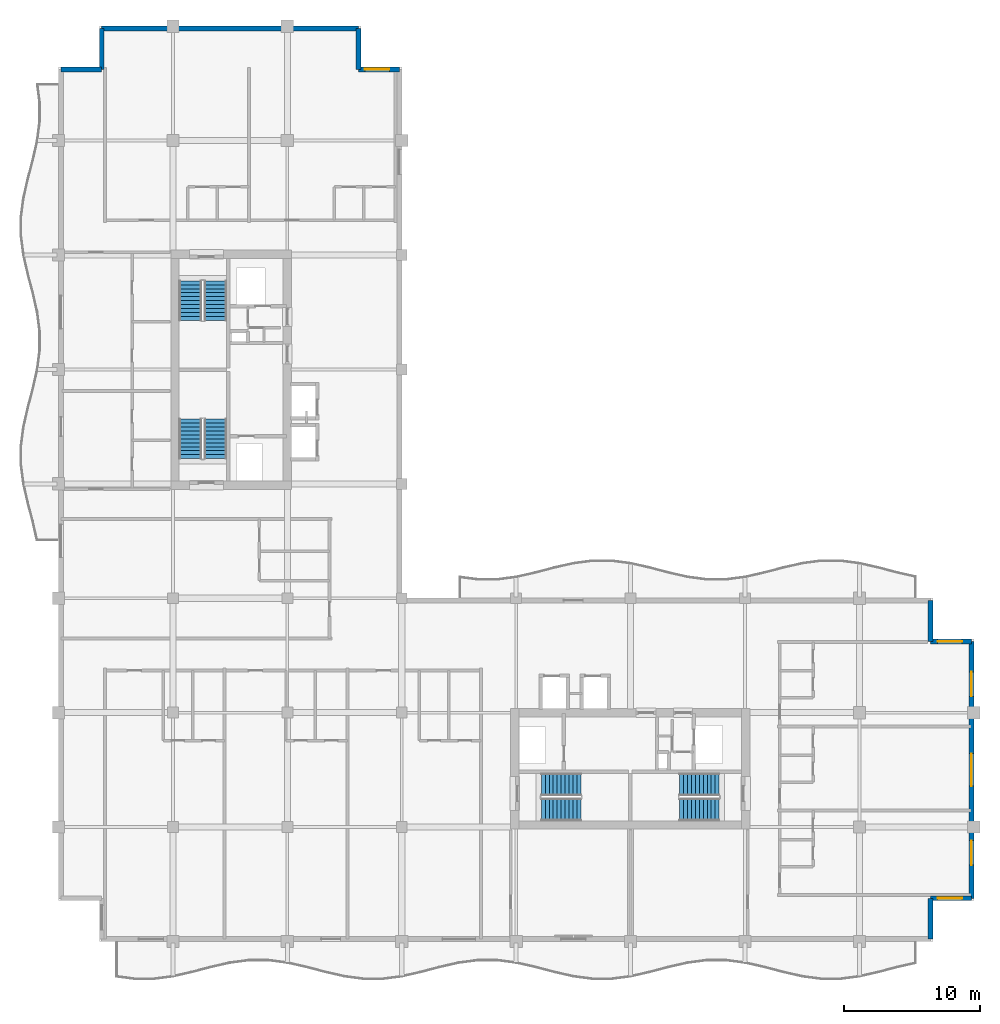
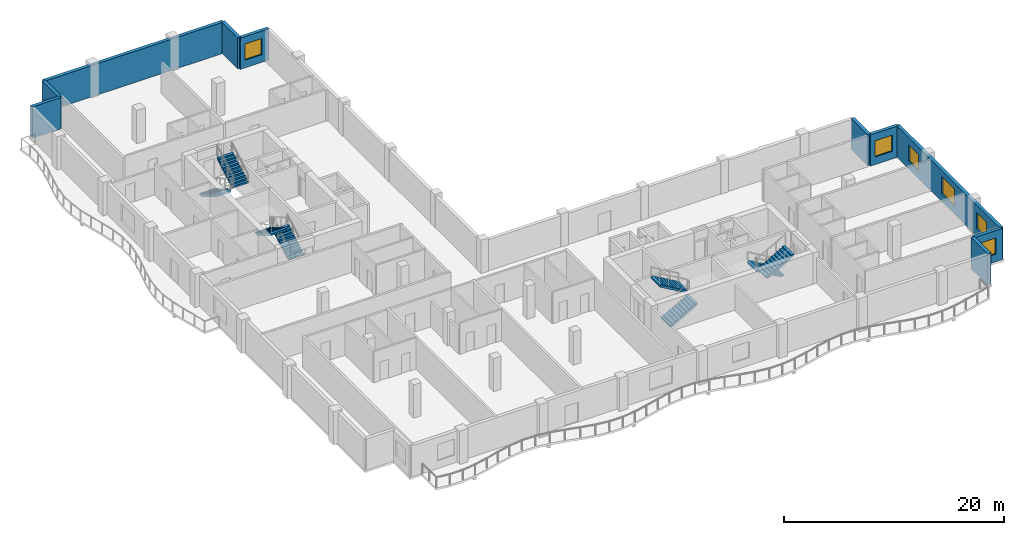
# One storey, part 8 of 12: 10 walls, 8 stair flights, 6 windows, 6 openings, 4 elements without a shape of their own.
"""IFC4 building model written with IfcOpenShell, lengths in metres."""

from ifc_helpers import new_model, si_unit, direction, frame, frame_2d, origin, place, context, subcontext, project, spatial, polyline, rectangle, outline, extrude, material, layer, layer_set, type_object, element, fill, aggregate, save


model = new_model("IFC4")

# Units and contexts
model_context = context("Model", 3, precision=1e-05, world=origin(), true_north=direction((0.0, 1.0)))
body_context = subcontext(model_context, "Body", "Model", "MODEL_VIEW")
ifc_project = project(units=[si_unit("LENGTHUNIT", "METRE"), si_unit("AREAUNIT", "SQUARE_METRE"), si_unit("VOLUMEUNIT", "CUBIC_METRE"), si_unit("PLANEANGLEUNIT", "RADIAN"), si_unit("MASSUNIT", "GRAM", prefix="KILO")], contexts=[model_context])

# Site, building, storey
site_placement = place(None, origin())
site = spatial("IfcSite", under=ifc_project, at=site_placement, CompositionType="ELEMENT")
building_placement = place(site_placement, origin())
building = spatial("IfcBuilding", under=site, at=building_placement, Name="Koriwani Terraces Tower", CompositionType="ELEMENT")
storey_placement = place(building_placement, frame((0.0, 0.0, 241.60009765625)))
storey = spatial("IfcBuildingStorey", under=building, at=storey_placement, Name="L59", CompositionType="ELEMENT", Elevation=241.60009765625)

# Walls
ifc_material_1 = material(Name="Concrete C50/60", Category="concrete")
ifc_layer = layer(ifc_material_1, 0.35009765625, Name="Concrete C50/60")
ifc_layer_set = layer_set([ifc_layer], Name="Concrete C50/60")
wall_type = type_object("IfcWallType", Name="WALL_EXT_BRUTALIST_350", PredefinedType="STANDARD", material=ifc_layer_set)
for number, where, z_axis, x_axis, name in (
    (1, (8.574951171875, 72.425048828125, 0.0), (0.0, 0.0, 1.0), (1.0, 0.0, 0.0), "L59 Fair-Faced Brutalist Exterior Wall (N3)"),
    (2, (11.574951171875, 72.425048828125, 0.0), (0.0, 0.0, 1.0), (0.0, 1.0, 0.0), "L59 Fair-Faced Brutalist Exterior Wall (N4)"),
):
    element("IfcWall", number, at=place(storey_placement, frame(where, z_axis=z_axis, x_axis=x_axis)), inside=storey, type_object=wall_type, Name=name, PredefinedType="STANDARD", context=body_context, shape_type="SweptSolid", body=[
        extrude(rectangle(XDim=3.0, YDim=0.35009765625, at=frame_2d((1.5, 0.0))), origin(), (0.0, 0.0, 1.0), 3.469970703125),
    ])
wall_1_placement = place(storey_placement, frame((11.574951171875, 75.425048828125, 0.0), z_axis=(0.0, 0.0, 1.0), x_axis=(1.0, 0.0, 0.0)))
element("IfcWall", 3, at=wall_1_placement, inside=storey, type_object=wall_type, Name="L59 Fair-Faced Brutalist Exterior Wall (N_TIP)", PredefinedType="STANDARD", context=body_context, shape_type="SweptSolid", body=[
    extrude(rectangle(XDim=18.85009765625, YDim=0.35009765625, at=frame_2d((9.425048828125, 0.0))), origin(), (0.0, 0.0, 1.0), 3.469970703125),
])
wall_2_placement = place(storey_placement, frame((30.425048828125, 75.425048828125, 0.0), z_axis=(0.0, 0.0, 1.0), x_axis=(0.0, -1.0, 0.0)))
element("IfcWall", 4, at=wall_2_placement, inside=storey, type_object=wall_type, Name="L59 Fair-Faced Brutalist Exterior Wall (N6)", PredefinedType="STANDARD", context=body_context, shape_type="SweptSolid", body=[
    extrude(rectangle(XDim=3.0, YDim=0.35009765625, at=frame_2d((1.5, 0.0))), origin(), (0.0, 0.0, 1.0), 3.469970703125),
])

# Wall, opening, window
wall_3_placement = place(storey_placement, frame((30.425048828125, 72.425048828125, 0.0), z_axis=(0.0, 0.0, 1.0), x_axis=(1.0, 0.0, 0.0)))
wall_3 = element("IfcWall", 5, at=wall_3_placement, inside=storey, type_object=wall_type, Name="L59 Fair-Faced Brutalist Exterior Wall (N7)", PredefinedType="STANDARD", context=body_context, shape_type="SweptSolid", body=[
    extrude(rectangle(XDim=3.0, YDim=0.35009765625, at=frame_2d((1.5, 0.0))), origin(), (0.0, 0.0, 1.0), 3.469970703125),
])
opening_1_placement = place(wall_3_placement, frame((0.472412109375, 0.0, 0.85009765625)))
opening_1 = element("IfcOpeningElement", 6, at=opening_1_placement, cuts=wall_3, Name="Opening W-04", PredefinedType="OPENING", context=body_context, shape_type="SweptSolid", body=[
    extrude(rectangle(XDim=1.800048828125, YDim=1.800048828125, at=frame_2d((0.89990234375, 0.89990234375))), frame((0.0, 0.18505859375, 0.0), z_axis=(0.0, -1.0, 0.0), x_axis=(1.0, 0.0, 0.0)), (0.0, 0.0, 1.0), 0.3701171875),
])
ifc_material_2 = material(Name="Tempered Laminated Low-E Glass", Category="glass")
window_type_1 = type_object("IfcWindowType", Name="WIN_RES_BED_1800X1800", PartitioningType="DOUBLE_PANEL_VERTICAL", PredefinedType="WINDOW", material=ifc_material_2)
window_1_placement = place(opening_1_placement, origin())
window_1 = element("IfcWindow", 7, at=window_1_placement, inside=storey, type_object=window_type_1, Name="L59 Exterior Window (N7-R47)", OverallHeight=1.800048828125, OverallWidth=1.800048828125, PartitioningType="SINGLE_PANEL", PredefinedType="WINDOW", context=body_context, shape_type="SweptSolid", body=[
    extrude(rectangle(XDim=1.800048828125, YDim=1.800048828125, at=frame_2d((0.89990234375, 0.89990234375))), frame((0.0, 0.030029296875, 0.0), z_axis=(0.0, -1.0, 0.0), x_axis=(1.0, 0.0, 0.0)), (0.0, 0.0, 1.0), 0.06005859375),
])
fill(opening_1, window_1)

# Wall
wall_4_placement = place(storey_placement, frame((72.425048828125, 33.425048828125, 0.0), z_axis=(0.0, 0.0, 1.0), x_axis=(0.0, -1.0, 0.0)))
element("IfcWall", 8, at=wall_4_placement, inside=storey, type_object=wall_type, Name="L59 Fair-Faced Brutalist Exterior Wall (N10)", PredefinedType="STANDARD", context=body_context, shape_type="SweptSolid", body=[
    extrude(rectangle(XDim=3.0, YDim=0.35009765625, at=frame_2d((1.5, 0.0))), origin(), (0.0, 0.0, 1.0), 3.469970703125),
])

# Wall, opening, window
wall_5_placement = place(storey_placement, frame((72.425048828125, 30.425048828125, 0.0), z_axis=(0.0, 0.0, 1.0), x_axis=(1.0, 0.0, 0.0)))
wall_5 = element("IfcWall", 9, at=wall_5_placement, inside=storey, type_object=wall_type, Name="L59 Fair-Faced Brutalist Exterior Wall (N11)", PredefinedType="STANDARD", context=body_context, shape_type="SweptSolid", body=[
    extrude(rectangle(XDim=3.0, YDim=0.35009765625, at=frame_2d((1.5, 0.0))), origin(), (0.0, 0.0, 1.0), 3.469970703125),
])
opening_2_placement = place(wall_5_placement, frame((0.507568359375, 0.0, 0.85009765625)))
opening_2 = element("IfcOpeningElement", 10, at=opening_2_placement, cuts=wall_5, Name="Opening W-04", PredefinedType="OPENING", context=body_context, shape_type="SweptSolid", body=[
    extrude(rectangle(XDim=1.800048828125, YDim=1.800048828125, at=frame_2d((0.89990234375, 0.89990234375))), frame((0.0, 0.18505859375, 0.0), z_axis=(0.0, -1.0, 0.0), x_axis=(1.0, 0.0, 0.0)), (0.0, 0.0, 1.0), 0.3701171875),
])
window_2_placement = place(opening_2_placement, origin())
window_2 = element("IfcWindow", 11, at=window_2_placement, inside=storey, type_object=window_type_1, Name="L59 Exterior Window (N11-R56)", OverallHeight=1.800048828125, OverallWidth=1.800048828125, PartitioningType="SINGLE_PANEL", PredefinedType="WINDOW", context=body_context, shape_type="SweptSolid", body=[
    extrude(rectangle(XDim=1.800048828125, YDim=1.800048828125, at=frame_2d((0.89990234375, 0.89990234375))), frame((0.0, 0.030029296875, 0.0), z_axis=(0.0, -1.0, 0.0), x_axis=(1.0, 0.0, 0.0)), (0.0, 0.0, 1.0), 0.06005859375),
])
fill(opening_2, window_2)

# Wall, openings, windows
wall_6_placement = place(storey_placement, frame((75.425048828125, 30.425048828125, 0.0), z_axis=(0.0, 0.0, 1.0), x_axis=(0.0, -1.0, 0.0)))
wall_6 = element("IfcWall", 12, at=wall_6_placement, inside=storey, type_object=wall_type, Name="L59 Fair-Faced Brutalist Exterior Wall (E_TIP)", PredefinedType="STANDARD", context=body_context, shape_type="SweptSolid", body=[
    extrude(rectangle(XDim=18.85009765625, YDim=0.35009765625, at=frame_2d((9.425048828125, 0.0))), origin(), (0.0, 0.0, 1.0), 3.469970703125),
])
opening_3_placement = place(wall_6_placement, frame((8.22509765625, 0.0, 0.85009765625)))
opening_3 = element("IfcOpeningElement", 13, at=opening_3_placement, cuts=wall_6, Name="Opening W-03", PredefinedType="OPENING", context=body_context, shape_type="SweptSolid", body=[
    extrude(rectangle(XDim=2.39990234375, YDim=1.949951171875, at=frame_2d((1.199951171875, 0.97509765625))), frame((0.0, 0.18505859375, 0.0), z_axis=(0.0, -1.0, 0.0), x_axis=(1.0, 0.0, 0.0)), (0.0, 0.0, 1.0), 0.3701171875),
])
opening_4_placement = place(wall_6_placement, frame((14.625, 0.0, 0.85009765625)))
opening_4 = element("IfcOpeningElement", 14, at=opening_4_placement, cuts=wall_6, Name="Opening W-04", PredefinedType="OPENING", context=body_context, shape_type="SweptSolid", body=[
    extrude(rectangle(XDim=1.800048828125, YDim=1.800048828125, at=frame_2d((0.89990234375, 0.89990234375))), frame((0.0, 0.18505859375, 0.0), z_axis=(0.0, -1.0, 0.0), x_axis=(1.0, 0.0, 0.0)), (0.0, 0.0, 1.0), 0.3701171875),
])
opening_5_placement = place(wall_6_placement, frame((2.22509765625, 0.0, 0.85009765625)))
opening_5 = element("IfcOpeningElement", 15, at=opening_5_placement, cuts=wall_6, Name="Opening W-04", PredefinedType="OPENING", context=body_context, shape_type="SweptSolid", body=[
    extrude(rectangle(XDim=1.800048828125, YDim=1.800048828125, at=frame_2d((0.89990234375, 0.89990234375))), frame((0.0, 0.18505859375, 0.0), z_axis=(0.0, -1.0, 0.0), x_axis=(1.0, 0.0, 0.0)), (0.0, 0.0, 1.0), 0.3701171875),
])
window_3_placement = place(opening_4_placement, origin())
window_3 = element("IfcWindow", 16, at=window_3_placement, inside=storey, type_object=window_type_1, Name="L59 Exterior Window (E_TIP-R50)", OverallHeight=1.800048828125, OverallWidth=1.800048828125, PartitioningType="SINGLE_PANEL", PredefinedType="WINDOW", context=body_context, shape_type="SweptSolid", body=[
    extrude(rectangle(XDim=1.800048828125, YDim=1.800048828125, at=frame_2d((0.89990234375, 0.89990234375))), frame((0.0, 0.030029296875, 0.0), z_axis=(0.0, -1.0, 0.0), x_axis=(1.0, 0.0, 0.0)), (0.0, 0.0, 1.0), 0.06005859375),
])
fill(opening_4, window_3)
window_4_placement = place(opening_5_placement, origin())
window_4 = element("IfcWindow", 17, at=window_4_placement, inside=storey, type_object=window_type_1, Name="L59 Exterior Window (E_TIP-R56)", OverallHeight=1.800048828125, OverallWidth=1.800048828125, PartitioningType="SINGLE_PANEL", PredefinedType="WINDOW", context=body_context, shape_type="SweptSolid", body=[
    extrude(rectangle(XDim=1.800048828125, YDim=1.800048828125, at=frame_2d((0.89990234375, 0.89990234375))), frame((0.0, 0.030029296875, 0.0), z_axis=(0.0, -1.0, 0.0), x_axis=(1.0, 0.0, 0.0)), (0.0, 0.0, 1.0), 0.06005859375),
])
fill(opening_5, window_4)
window_type_2 = type_object("IfcWindowType", Name="WIN_RES_LIVING_2400X1950", PartitioningType="DOUBLE_PANEL_VERTICAL", PredefinedType="WINDOW", material=ifc_material_2)
window_5_placement = place(opening_3_placement, origin())
window_5 = element("IfcWindow", 18, at=window_5_placement, inside=storey, type_object=window_type_2, Name="L59 Exterior Window (E_TIP-3)", OverallHeight=1.949951171875, OverallWidth=2.39990234375, PartitioningType="SINGLE_PANEL", PredefinedType="WINDOW", context=body_context, shape_type="SweptSolid", body=[
    extrude(rectangle(XDim=2.39990234375, YDim=1.949951171875, at=frame_2d((1.199951171875, 0.97509765625))), frame((0.0, 0.030029296875, 0.0), z_axis=(0.0, -1.0, 0.0), x_axis=(1.0, 0.0, 0.0)), (0.0, 0.0, 1.0), 0.06005859375),
])
fill(opening_3, window_5)

# Wall, opening, window
wall_7_placement = place(storey_placement, frame((75.425048828125, 11.574951171875, 0.0), z_axis=(0.0, 0.0, 1.0), x_axis=(-1.0, 0.0, 0.0)))
wall_7 = element("IfcWall", 19, at=wall_7_placement, inside=storey, type_object=wall_type, Name="L59 Fair-Faced Brutalist Exterior Wall (N13)", PredefinedType="STANDARD", context=body_context, shape_type="SweptSolid", body=[
    extrude(rectangle(XDim=3.0, YDim=0.35009765625, at=frame_2d((1.5, 0.0))), origin(), (0.0, 0.0, 1.0), 3.469970703125),
])
opening_6_placement = place(wall_7_placement, frame((0.6923828125, 0.0, 0.85009765625)))
opening_6 = element("IfcOpeningElement", 20, at=opening_6_placement, cuts=wall_7, Name="Opening W-04", PredefinedType="OPENING", context=body_context, shape_type="SweptSolid", body=[
    extrude(rectangle(XDim=1.800048828125, YDim=1.800048828125, at=frame_2d((0.89990234375, 0.89990234375))), frame((0.0, 0.18505859375, 0.0), z_axis=(0.0, -1.0, 0.0), x_axis=(1.0, 0.0, 0.0)), (0.0, 0.0, 1.0), 0.3701171875),
])
window_6_placement = place(opening_6_placement, origin())
window_6 = element("IfcWindow", 21, at=window_6_placement, inside=storey, type_object=window_type_1, Name="L59 Exterior Window (N13-R50)", OverallHeight=1.800048828125, OverallWidth=1.800048828125, PartitioningType="SINGLE_PANEL", PredefinedType="WINDOW", context=body_context, shape_type="SweptSolid", body=[
    extrude(rectangle(XDim=1.800048828125, YDim=1.800048828125, at=frame_2d((0.89990234375, 0.89990234375))), frame((0.0, 0.030029296875, 0.0), z_axis=(0.0, -1.0, 0.0), x_axis=(1.0, 0.0, 0.0)), (0.0, 0.0, 1.0), 0.06005859375),
])
fill(opening_6, window_6)

# Wall
wall_8_placement = place(storey_placement, frame((72.425048828125, 11.574951171875, 0.0), z_axis=(0.0, 0.0, 1.0), x_axis=(0.0, -1.0, 0.0)))
element("IfcWall", 22, at=wall_8_placement, inside=storey, type_object=wall_type, Name="L59 Fair-Faced Brutalist Exterior Wall (N14)", PredefinedType="STANDARD", context=body_context, shape_type="SweptSolid", body=[
    extrude(rectangle(XDim=3.0, YDim=0.35009765625, at=frame_2d((1.5, 0.0))), origin(), (0.0, 0.0, 1.0), 3.469970703125),
])

# Stair, stair flights
ifc_material_3 = material(Name="Concrete C40/50", Category="concrete")
stair_type = type_object("IfcStairType", Name="STAIR_CORE_DOGLEG_1650", PredefinedType="TWO_STRAIGHT_RUN_STAIR", material=ifc_material_3)
stair_1_placement = place(storey_placement, origin())
stair_1 = element("IfcStair", 23, at=stair_1_placement, inside=storey, type_object=stair_type, Name="L59 West Core Exit Stair 1", PredefinedType="HALF_TURN_STAIR")
stair_flight_type = type_object("IfcStairFlightType", Name="STAIR_FLIGHT_RC_1650", PredefinedType="STRAIGHT", material=ifc_material_3)
stair_flight_1_placement = place(storey_placement, frame((19.925048828125, 43.85009765625, 0.0), z_axis=(0.0, 0.0, 1.0), x_axis=(0.0, 1.0, 0.0)))
stair_flight_1 = element("IfcStairFlight", 24, at=stair_flight_1_placement, type_object=stair_flight_type, Name="ST-W1 flight 1", NumberOfRisers=11, NumberOfTreads=10, PredefinedType="STRAIGHT", RiserHeight=0.168181818, TreadLength=0.29, context=body_context, shape_type="SweptSolid", body=[
    extrude(outline(polyline([(0.0, 0.0), (0.0, 0.168212890625), (0.2900390625, 0.168212890625), (0.2900390625, 0.33642578125), (0.580078125, 0.33642578125), (0.580078125, 0.504638671875), (0.8701171875, 0.504638671875), (0.8701171875, 0.672607421875), (1.159912109375, 0.672607421875), (1.159912109375, 0.8408203125), (1.449951171875, 0.8408203125), (1.449951171875, 1.009033203125), (1.739990234375, 1.009033203125), (1.739990234375, 1.17724609375), (2.030029296875, 1.17724609375), (2.030029296875, 1.345458984375), (2.320068359375, 1.345458984375), (2.320068359375, 1.513671875), (2.610107421875, 1.513671875), (2.610107421875, 1.681884765625), (2.89990234375, 1.681884765625), (2.89990234375, 1.85009765625), (2.89990234375, 1.473876953125), (0.358642578125, 0.0), (0.0, 0.0)])), frame((0.0, 0.824951171875, 0.0), z_axis=(0.0, -1.0, 0.0), x_axis=(1.0, 0.0, 0.0)), (0.0, 0.0, 1.0), 1.64990234375),
])
stair_flight_2_placement = place(storey_placement, frame((18.074951171875, 46.75, 1.849853515625), z_axis=(0.0, 0.0, 1.0), x_axis=(0.0, -1.0, 0.0)))
stair_flight_2 = element("IfcStairFlight", 25, at=stair_flight_2_placement, type_object=stair_flight_type, Name="ST-W1 flight 2", NumberOfRisers=11, NumberOfTreads=10, PredefinedType="STRAIGHT", RiserHeight=0.168181818, TreadLength=0.29, context=body_context, shape_type="SweptSolid", body=[
    extrude(outline(polyline([(0.0, 0.0), (0.0, 0.168212890625), (0.2900390625, 0.168212890625), (0.2900390625, 0.33642578125), (0.580078125, 0.33642578125), (0.580078125, 0.504638671875), (0.8701171875, 0.504638671875), (0.8701171875, 0.672607421875), (1.159912109375, 0.672607421875), (1.159912109375, 0.8408203125), (1.449951171875, 0.8408203125), (1.449951171875, 1.009033203125), (1.739990234375, 1.009033203125), (1.739990234375, 1.17724609375), (2.030029296875, 1.17724609375), (2.030029296875, 1.345458984375), (2.320068359375, 1.345458984375), (2.320068359375, 1.513671875), (2.610107421875, 1.513671875), (2.610107421875, 1.681884765625), (2.89990234375, 1.681884765625), (2.89990234375, 1.85009765625), (2.89990234375, 1.473876953125), (0.358642578125, 0.0), (0.0, 0.0)])), frame((0.0, 0.824951171875, 0.0), z_axis=(0.0, -1.0, 0.0), x_axis=(1.0, 0.0, 0.0)), (0.0, 0.0, 1.0), 1.64990234375),
])
aggregate(stair_1, [stair_flight_1, stair_flight_2])

stair_2_placement = place(storey_placement, origin())
stair_2 = element("IfcStair", 26, at=stair_2_placement, inside=storey, type_object=stair_type, Name="L59 West Core Exit Stair 2", PredefinedType="HALF_TURN_STAIR")
stair_flight_3_placement = place(storey_placement, frame((18.074951171875, 56.89990234375, 0.0), z_axis=(0.0, 0.0, 1.0), x_axis=(0.0, -1.0, 0.0)))
stair_flight_3 = element("IfcStairFlight", 27, at=stair_flight_3_placement, type_object=stair_flight_type, Name="ST-W2 flight 1", NumberOfRisers=11, NumberOfTreads=10, PredefinedType="STRAIGHT", RiserHeight=0.168181818, TreadLength=0.29, context=body_context, shape_type="SweptSolid", body=[
    extrude(outline(polyline([(0.0, 0.0), (0.0, 0.168212890625), (0.2900390625, 0.168212890625), (0.2900390625, 0.33642578125), (0.580078125, 0.33642578125), (0.580078125, 0.504638671875), (0.8701171875, 0.504638671875), (0.8701171875, 0.672607421875), (1.159912109375, 0.672607421875), (1.159912109375, 0.8408203125), (1.449951171875, 0.8408203125), (1.449951171875, 1.009033203125), (1.739990234375, 1.009033203125), (1.739990234375, 1.17724609375), (2.030029296875, 1.17724609375), (2.030029296875, 1.345458984375), (2.320068359375, 1.345458984375), (2.320068359375, 1.513671875), (2.610107421875, 1.513671875), (2.610107421875, 1.681884765625), (2.89990234375, 1.681884765625), (2.89990234375, 1.85009765625), (2.89990234375, 1.473876953125), (0.358642578125, 0.0), (0.0, 0.0)])), frame((0.0, 0.824951171875, 0.0), z_axis=(0.0, -1.0, 0.0), x_axis=(1.0, 0.0, 0.0)), (0.0, 0.0, 1.0), 1.64990234375),
])
stair_flight_4_placement = place(storey_placement, frame((19.925048828125, 54.0, 1.849853515625), z_axis=(0.0, 0.0, 1.0), x_axis=(0.0, 1.0, 0.0)))
stair_flight_4 = element("IfcStairFlight", 28, at=stair_flight_4_placement, type_object=stair_flight_type, Name="ST-W2 flight 2", NumberOfRisers=11, NumberOfTreads=10, PredefinedType="STRAIGHT", RiserHeight=0.168181818, TreadLength=0.29, context=body_context, shape_type="SweptSolid", body=[
    extrude(outline(polyline([(0.0, 0.0), (0.0, 0.168212890625), (0.2900390625, 0.168212890625), (0.2900390625, 0.33642578125), (0.580078125, 0.33642578125), (0.580078125, 0.504638671875), (0.8701171875, 0.504638671875), (0.8701171875, 0.672607421875), (1.159912109375, 0.672607421875), (1.159912109375, 0.8408203125), (1.449951171875, 0.8408203125), (1.449951171875, 1.009033203125), (1.739990234375, 1.009033203125), (1.739990234375, 1.17724609375), (2.030029296875, 1.17724609375), (2.030029296875, 1.345458984375), (2.320068359375, 1.345458984375), (2.320068359375, 1.513671875), (2.610107421875, 1.513671875), (2.610107421875, 1.681884765625), (2.89990234375, 1.681884765625), (2.89990234375, 1.85009765625), (2.89990234375, 1.473876953125), (0.358642578125, 0.0), (0.0, 0.0)])), frame((0.0, 0.824951171875, 0.0), z_axis=(0.0, -1.0, 0.0), x_axis=(1.0, 0.0, 0.0)), (0.0, 0.0, 1.0), 1.64990234375),
])
aggregate(stair_2, [stair_flight_3, stair_flight_4])

stair_3_placement = place(storey_placement, origin())
stair_3 = element("IfcStair", 29, at=stair_3_placement, inside=storey, type_object=stair_type, Name="L59 East Core Exit Stair 1", PredefinedType="HALF_TURN_STAIR")
stair_flight_5_placement = place(storey_placement, frame((43.85009765625, 18.074951171875, 0.0), z_axis=(0.0, 0.0, 1.0), x_axis=(1.0, 0.0, 0.0)))
stair_flight_5 = element("IfcStairFlight", 30, at=stair_flight_5_placement, type_object=stair_flight_type, Name="ST-E1 flight 1", NumberOfRisers=11, NumberOfTreads=10, PredefinedType="STRAIGHT", RiserHeight=0.168181818, TreadLength=0.29, context=body_context, shape_type="SweptSolid", body=[
    extrude(outline(polyline([(0.0, 0.0), (0.0, 0.168212890625), (0.2900390625, 0.168212890625), (0.2900390625, 0.33642578125), (0.580078125, 0.33642578125), (0.580078125, 0.504638671875), (0.8701171875, 0.504638671875), (0.8701171875, 0.672607421875), (1.159912109375, 0.672607421875), (1.159912109375, 0.8408203125), (1.449951171875, 0.8408203125), (1.449951171875, 1.009033203125), (1.739990234375, 1.009033203125), (1.739990234375, 1.17724609375), (2.030029296875, 1.17724609375), (2.030029296875, 1.345458984375), (2.320068359375, 1.345458984375), (2.320068359375, 1.513671875), (2.610107421875, 1.513671875), (2.610107421875, 1.681884765625), (2.89990234375, 1.681884765625), (2.89990234375, 1.85009765625), (2.89990234375, 1.473876953125), (0.358642578125, 0.0), (0.0, 0.0)])), frame((0.0, 0.824951171875, 0.0), z_axis=(0.0, -1.0, 0.0), x_axis=(1.0, 0.0, 0.0)), (0.0, 0.0, 1.0), 1.64990234375),
])
stair_flight_6_placement = place(storey_placement, frame((46.75, 19.925048828125, 1.849853515625), z_axis=(0.0, 0.0, 1.0), x_axis=(-1.0, 0.0, 0.0)))
stair_flight_6 = element("IfcStairFlight", 31, at=stair_flight_6_placement, type_object=stair_flight_type, Name="ST-E1 flight 2", NumberOfRisers=11, NumberOfTreads=10, PredefinedType="STRAIGHT", RiserHeight=0.168181818, TreadLength=0.29, context=body_context, shape_type="SweptSolid", body=[
    extrude(outline(polyline([(0.0, 0.0), (0.0, 0.168212890625), (0.2900390625, 0.168212890625), (0.2900390625, 0.33642578125), (0.580078125, 0.33642578125), (0.580078125, 0.504638671875), (0.8701171875, 0.504638671875), (0.8701171875, 0.672607421875), (1.159912109375, 0.672607421875), (1.159912109375, 0.8408203125), (1.449951171875, 0.8408203125), (1.449951171875, 1.009033203125), (1.739990234375, 1.009033203125), (1.739990234375, 1.17724609375), (2.030029296875, 1.17724609375), (2.030029296875, 1.345458984375), (2.320068359375, 1.345458984375), (2.320068359375, 1.513671875), (2.610107421875, 1.513671875), (2.610107421875, 1.681884765625), (2.89990234375, 1.681884765625), (2.89990234375, 1.85009765625), (2.89990234375, 1.473876953125), (0.358642578125, 0.0), (0.0, 0.0)])), frame((0.0, 0.824951171875, 0.0), z_axis=(0.0, -1.0, 0.0), x_axis=(1.0, 0.0, 0.0)), (0.0, 0.0, 1.0), 1.64990234375),
])
aggregate(stair_3, [stair_flight_5, stair_flight_6])

stair_4_placement = place(storey_placement, origin())
stair_4 = element("IfcStair", 32, at=stair_4_placement, inside=storey, type_object=stair_type, Name="L59 East Core Exit Stair 2", PredefinedType="HALF_TURN_STAIR")
stair_flight_7_placement = place(storey_placement, frame((56.89990234375, 19.925048828125, 0.0), z_axis=(0.0, 0.0, 1.0), x_axis=(-1.0, 0.0, 0.0)))
stair_flight_7 = element("IfcStairFlight", 33, at=stair_flight_7_placement, type_object=stair_flight_type, Name="ST-E2 flight 1", NumberOfRisers=11, NumberOfTreads=10, PredefinedType="STRAIGHT", RiserHeight=0.168181818, TreadLength=0.29, context=body_context, shape_type="SweptSolid", body=[
    extrude(outline(polyline([(0.0, 0.0), (0.0, 0.168212890625), (0.2900390625, 0.168212890625), (0.2900390625, 0.33642578125), (0.580078125, 0.33642578125), (0.580078125, 0.504638671875), (0.8701171875, 0.504638671875), (0.8701171875, 0.672607421875), (1.159912109375, 0.672607421875), (1.159912109375, 0.8408203125), (1.449951171875, 0.8408203125), (1.449951171875, 1.009033203125), (1.739990234375, 1.009033203125), (1.739990234375, 1.17724609375), (2.030029296875, 1.17724609375), (2.030029296875, 1.345458984375), (2.320068359375, 1.345458984375), (2.320068359375, 1.513671875), (2.610107421875, 1.513671875), (2.610107421875, 1.681884765625), (2.89990234375, 1.681884765625), (2.89990234375, 1.85009765625), (2.89990234375, 1.473876953125), (0.358642578125, 0.0), (0.0, 0.0)])), frame((0.0, 0.824951171875, 0.0), z_axis=(0.0, -1.0, 0.0), x_axis=(1.0, 0.0, 0.0)), (0.0, 0.0, 1.0), 1.64990234375),
])
stair_flight_8_placement = place(storey_placement, frame((54.0, 18.074951171875, 1.849853515625), z_axis=(0.0, 0.0, 1.0), x_axis=(1.0, 0.0, 0.0)))
stair_flight_8 = element("IfcStairFlight", 34, at=stair_flight_8_placement, type_object=stair_flight_type, Name="ST-E2 flight 2", NumberOfRisers=11, NumberOfTreads=10, PredefinedType="STRAIGHT", RiserHeight=0.168181818, TreadLength=0.29, context=body_context, shape_type="SweptSolid", body=[
    extrude(outline(polyline([(0.0, 0.0), (0.0, 0.168212890625), (0.2900390625, 0.168212890625), (0.2900390625, 0.33642578125), (0.580078125, 0.33642578125), (0.580078125, 0.504638671875), (0.8701171875, 0.504638671875), (0.8701171875, 0.672607421875), (1.159912109375, 0.672607421875), (1.159912109375, 0.8408203125), (1.449951171875, 0.8408203125), (1.449951171875, 1.009033203125), (1.739990234375, 1.009033203125), (1.739990234375, 1.17724609375), (2.030029296875, 1.17724609375), (2.030029296875, 1.345458984375), (2.320068359375, 1.345458984375), (2.320068359375, 1.513671875), (2.610107421875, 1.513671875), (2.610107421875, 1.681884765625), (2.89990234375, 1.681884765625), (2.89990234375, 1.85009765625), (2.89990234375, 1.473876953125), (0.358642578125, 0.0), (0.0, 0.0)])), frame((0.0, 0.824951171875, 0.0), z_axis=(0.0, -1.0, 0.0), x_axis=(1.0, 0.0, 0.0)), (0.0, 0.0, 1.0), 1.64990234375),
])
aggregate(stair_4, [stair_flight_7, stair_flight_8])

save(model, "model.ifc")
